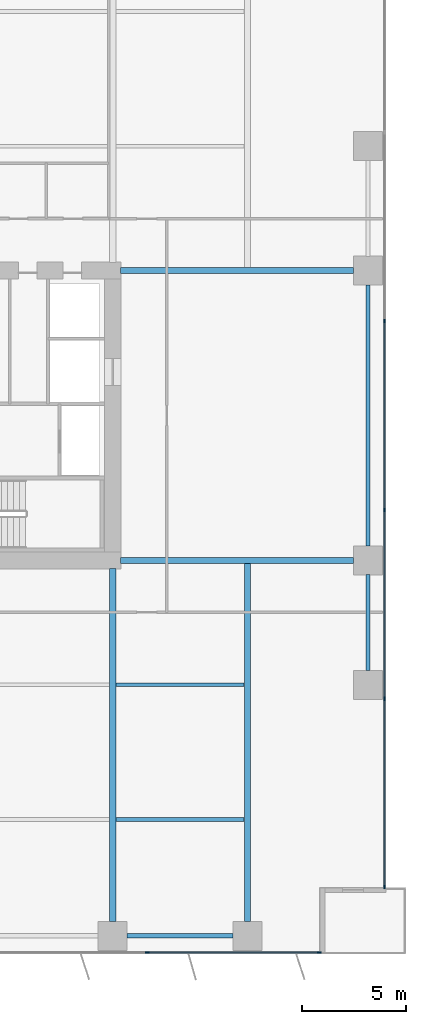
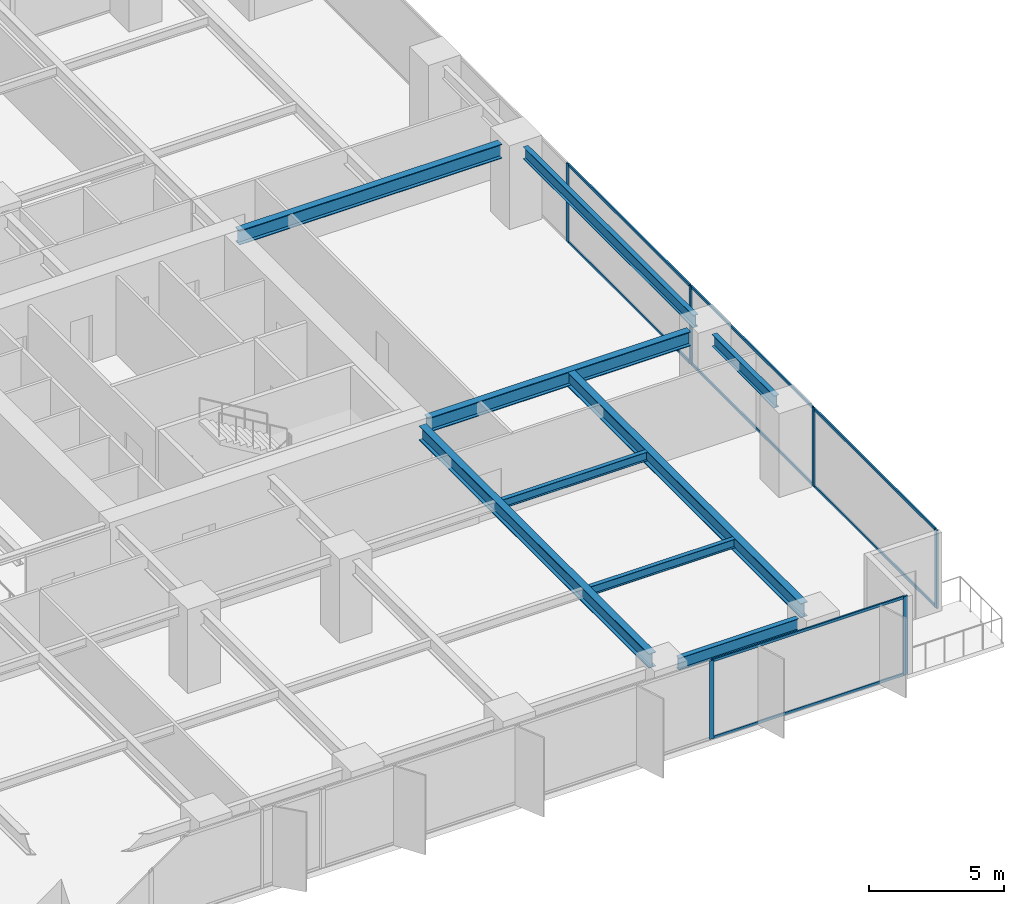
# One storey, part 10 of 20: 14 members, 9 beams, 2 elements without a shape of their own.
"""IFC4 building model written with IfcOpenShell, lengths in metres."""

import ifcopenshell
import ifcopenshell.guid

model = None  # the IFC model being written
_history = None  # IfcOwnerHistory: only IFC2X3 demands one
_inside = {}  # id of a spatial element -> (the spatial element, [elements in it])
_under = {}  # id of a project, library or spatial element -> (it, [spatial elements below it])
_declared = {}  # id of a project -> (the project, [libraries it declares])
_typed = {}  # id of a type object -> (the type object, [elements of that type])
_made_of = {}  # id of a material, layer set ... -> (it, [elements and type objects made of it])


def new_model(schema):
    """Start an empty IFC model of exactly this schema.

    Asked for "IFC4X3", IfcOpenShell would pick the latest addendum, in which some entities
    have other attributes; the version numbers below select the first issue.
    IFC2X3 requires an IfcOwnerHistory on every rooted entity: one is made here for all.
    """
    global model, _history
    if schema == "IFC4X3":
        model = ifcopenshell.file(schema_version=(4, 3, 0, 0))
    else:
        model = ifcopenshell.file(schema=schema)
    _inside.clear()
    _under.clear()
    _declared.clear()
    _typed.clear()
    _made_of.clear()
    _history = None
    if model.schema == "IFC2X3":
        org = make("IfcOrganization", Name="unknown")
        user = make(
            "IfcPersonAndOrganization",
            ThePerson=make("IfcPerson", FamilyName="unknown"),
            TheOrganization=org,
        )
        app = make(
            "IfcApplication",
            ApplicationDeveloper=org,
            Version="unknown",
            ApplicationFullName="unknown",
            ApplicationIdentifier="unknown",
        )
        _history = make(
            "IfcOwnerHistory",
            OwningUser=user,
            OwningApplication=app,
            ChangeAction="ADDED",
            CreationDate=0,
        )
    return model


def make(cls, **values):
    """One entity of the class cls with the attributes given. An attribute that is None is left unset."""
    return model.create_entity(
        cls, **{name: value for name, value in values.items() if value is not None}
    )


def rooted(cls, **values):
    """An entity with a GlobalId (a new one), such as an element, a storey or a relation."""
    return make(cls, GlobalId=ifcopenshell.guid.new(), OwnerHistory=_history, **values)


def si_unit(unit_type, name, prefix=None):
    """IfcSIUnit, for example si_unit("LENGTHUNIT", "METRE", prefix="MILLI")."""
    return make("IfcSIUnit", UnitType=unit_type, Prefix=prefix, Name=name)


def assignment(units):
    """IfcUnitAssignment: the units of a project."""
    return None if units is None else make("IfcUnitAssignment", Units=units)


def point(xyz):
    """IfcCartesianPoint."""
    return None if xyz is None else make("IfcCartesianPoint", Coordinates=xyz)


def direction(xyz):
    """IfcDirection."""
    return None if xyz is None else make("IfcDirection", DirectionRatios=xyz)


def frame(location, z_axis=None, x_axis=None):
    """IfcAxis2Placement3D, a coordinate frame: its origin and axes. An axis left out is left unset."""
    return make(
        "IfcAxis2Placement3D",
        Location=point(location),
        Axis=direction(z_axis),
        RefDirection=direction(x_axis),
    )


def frame_2d(location, x_axis=None):
    """IfcAxis2Placement2D, a coordinate frame in the plane: its origin and x axis."""
    return make(
        "IfcAxis2Placement2D", Location=point(location), RefDirection=direction(x_axis)
    )


def origin():
    """The frame at (0, 0, 0) with its axes left unset."""
    return frame((0.0, 0.0, 0.0))


def origin_2d():
    """The frame at (0, 0) in the plane with its x axis left unset."""
    return frame_2d((0.0, 0.0))


def place(relative_to, where):
    """IfcLocalPlacement: puts the frame where relative to a parent placement (None: the world)."""
    return make(
        "IfcLocalPlacement", PlacementRelTo=relative_to, RelativePlacement=where
    )


def context(
    kind, dimensions, precision=None, world=None, true_north=None, identifier=None
):
    """IfcGeometricRepresentationContext, for example the 3D "Model" context."""
    return make(
        "IfcGeometricRepresentationContext",
        ContextIdentifier=identifier,
        ContextType=kind,
        CoordinateSpaceDimension=dimensions,
        Precision=precision,
        WorldCoordinateSystem=world,
        TrueNorth=true_north,
    )


def subcontext(parent, identifier, kind, view, scale=None):
    """IfcGeometricRepresentationSubContext, for example "Body" below "Model"."""
    return make(
        "IfcGeometricRepresentationSubContext",
        ContextIdentifier=identifier,
        ContextType=kind,
        ParentContext=parent,
        TargetScale=scale,
        TargetView=view,
    )


def project(units=None, contexts=None):
    """IfcProject with its units and contexts."""
    return rooted(
        "IfcProject",
        Name="project",
        RepresentationContexts=contexts,
        UnitsInContext=assignment(units),
    )


def spatial(cls, under=None, at=None, **own):
    """A site, building, storey or space (cls), placed at a placement, below another one or the project."""
    s = rooted(cls, ObjectPlacement=at, **own)
    if under is not None:
        _under.setdefault(under.id(), (under, []))[1].append(s)
    return s


def profile(cls, at=None, kind="AREA", **sizes):
    """A parametric profile (cls). Its sizes go by their IFC names, for example OverallWidth=200.0."""
    return make(cls, ProfileType=kind, Position=at, **sizes)


def rectangle(**sizes):
    """IfcRectangleProfileDef."""
    return profile("IfcRectangleProfileDef", **sizes)


def i_section(**sizes):
    """IfcIShapeProfileDef."""
    return profile("IfcIShapeProfileDef", **sizes)


def extrude(swept, where, along, depth):
    """IfcExtrudedAreaSolid: the profile swept, set in the frame where, extruded along a direction by depth."""
    return make(
        "IfcExtrudedAreaSolid",
        SweptArea=swept,
        Position=where,
        ExtrudedDirection=direction(along),
        Depth=depth,
    )


def shape(context_of_items, identifier, shape_type, items):
    """IfcShapeRepresentation: the items that make up one representation, for example the "Body"."""
    return make(
        "IfcShapeRepresentation",
        ContextOfItems=context_of_items,
        RepresentationIdentifier=identifier,
        RepresentationType=shape_type,
        Items=items,
    )


def material(Name=None, Category=None):
    """IfcMaterial."""
    return make("IfcMaterial", Name=Name, Category=Category)


def layer(
    of_material, thickness, ventilated=None, Name=None, Category=None, Priority=None
):
    """IfcMaterialLayer: one layer of a wall or slab, of a material (None: an air gap)."""
    return make(
        "IfcMaterialLayer",
        Material=of_material,
        LayerThickness=thickness,
        IsVentilated=ventilated,
        Name=Name,
        Category=Category,
        Priority=Priority,
    )


def layer_set(layers, Name=None):
    """IfcMaterialLayerSet."""
    return make("IfcMaterialLayerSet", MaterialLayers=layers, LayerSetName=Name)


def material_profile(
    of_material, cross_section, Name=None, Category=None, Priority=None
):
    """IfcMaterialProfile: a cross section and its material."""
    return make(
        "IfcMaterialProfile",
        Name=Name,
        Material=of_material,
        Profile=cross_section,
        Priority=Priority,
        Category=Category,
    )


def profile_set(profiles, Name=None, composite=None):
    """IfcMaterialProfileSet."""
    return make(
        "IfcMaterialProfileSet",
        Name=Name,
        MaterialProfiles=profiles,
        CompositeProfile=composite,
    )


def made_of(thing, what):
    """Note that an element or type object is made of a material, layer set ...; save() writes the relation."""
    if what is not None:
        _made_of.setdefault(what.id(), (what, []))[1].append(thing)
    return thing


def type_object(cls, material=None, **own):
    """A type object (cls), such as IfcWallType, which elements share."""
    return made_of(rooted(cls, **own), material)


def element(
    cls,
    number,
    at=None,
    inside=None,
    cuts=None,
    type_object=None,
    material=None,
    context=None,
    identifier="Body",
    shape_type=None,
    held_by="IfcProductDefinitionShape",
    body=None,
    shapes=None,
    **own,
):
    """One element of the class cls, such as IfcWall. Its Tag is "e" and its number.

    at: its placement. inside: the storey or other place that contains it. cuts: it is an
    opening in that element (IfcRelVoidsElement). A single representation is given by context,
    identifier, shape_type and body (its items); several are given by shapes. held_by: the class
    of the entity that holds the representations. save() writes the other relations.
    """
    e = rooted(cls, Tag="e%d" % number, ObjectPlacement=at, **own)
    if body is not None:
        shapes = [shape(context, identifier, shape_type, body)]
    if shapes is not None:
        e.Representation = make(held_by, Representations=shapes)
    if inside is not None:
        _inside.setdefault(inside.id(), (inside, []))[1].append(e)
    if cuts is not None:
        rooted(
            "IfcRelVoidsElement", RelatingBuildingElement=cuts, RelatedOpeningElement=e
        )
    if type_object is not None:
        _typed.setdefault(type_object.id(), (type_object, []))[1].append(e)
    return made_of(e, material)


def aggregate(whole, parts):
    """IfcRelAggregates: a whole, such as a stair, and the parts it consists of."""
    return rooted("IfcRelAggregates", RelatingObject=whole, RelatedObjects=parts)


def save(model, path):
    """Write the relations noted so far, then the file.

    IfcRelAggregates (storeys below a building ...), IfcRelContainedInSpatialStructure (elements
    in a storey), IfcRelDefinesByType, IfcRelAssociatesMaterial and IfcRelDeclares: one each for
    every whole, place, type object, material and project.
    """
    for whole, parts in _under.values():
        aggregate(whole, parts)
    for where, things in _inside.values():
        rooted(
            "IfcRelContainedInSpatialStructure",
            RelatedElements=things,
            RelatingStructure=where,
        )
    for kind, things in _typed.values():
        rooted("IfcRelDefinesByType", RelatedObjects=things, RelatingType=kind)
    for what, things in _made_of.values():
        rooted("IfcRelAssociatesMaterial", RelatedObjects=things, RelatingMaterial=what)
    for by, libraries in _declared.values():
        rooted("IfcRelDeclares", RelatingContext=by, RelatedDefinitions=libraries)
    model.write(path)


model = new_model("IFC4")

# Units and contexts
model_context = context("Model", 3, precision=1e-05, world=origin(), true_north=direction((0.0, 1.0)))
body_context = subcontext(model_context, "Body", "Model", "MODEL_VIEW")
ifc_project = project(units=[si_unit("LENGTHUNIT", "METRE"), si_unit("AREAUNIT", "SQUARE_METRE"), si_unit("VOLUMEUNIT", "CUBIC_METRE"), si_unit("PLANEANGLEUNIT", "RADIAN"), si_unit("MASSUNIT", "GRAM", prefix="KILO")], contexts=[model_context])

# Site, building, storey
site_placement = place(None, origin())
site = spatial("IfcSite", under=ifc_project, at=site_placement, CompositionType="ELEMENT")
building_placement = place(site_placement, origin())
building = spatial("IfcBuilding", under=site, at=building_placement, Name="Putna Gate Headquarters", CompositionType="ELEMENT")
storey_placement = place(building_placement, frame((0.0, 0.0, 54.39990234375)))
storey = spatial("IfcBuildingStorey", under=building, at=storey_placement, Name="L12", CompositionType="ELEMENT", Elevation=54.39990234375)

# Beams
ifc_material_1 = material(Name="Steel S355J2", Category="steel")
ifc_material_profile_1 = material_profile(ifc_material_1, i_section(OverallWidth=0.300048828125, OverallDepth=0.64990234375, WebThickness=0.01611328125, FlangeThickness=0.031005859375, at=origin_2d()), Name="Steel S355J2")
ifc_profile_set_1 = profile_set([ifc_material_profile_1], Name="Steel S355J2")
beam_type_1 = type_object("IfcBeamType", Name="BM-GIRD-Z1-HEB650", PredefinedType="USERDEFINED", material=ifc_profile_set_1)
for number, where, z_axis, x_axis, name in (
    (1, (65.385009765625, 19.0, 3.22509765625), (1.0, 0.0, 0.0), (0.0, 1.0, 0.0), "L12 East Wing Girder Y19"),
    (2, (65.385009765625, 33.0, 3.22509765625), (1.0, 0.0, 0.0), (0.0, 1.0, 0.0), "L12 East Wing Girder Y33"),
):
    element("IfcBeam", number, at=place(storey_placement, frame(where, z_axis=z_axis, x_axis=x_axis)), inside=storey, type_object=beam_type_1, Name=name, ObjectType="GIRDER", PredefinedType="USERDEFINED", context=body_context, shape_type="SweptSolid", body=[
        extrude(i_section(OverallWidth=0.300048828125, OverallDepth=0.64990234375, WebThickness=0.01611328125, FlangeThickness=0.031005859375, at=origin_2d()), origin(), (0.0, 0.0, 1.0), 11.2470703125),
    ])
beam_1_placement = place(storey_placement, frame((65.0, 1.568115234375, 3.22509765625), z_axis=(0.0, 1.0, 0.0), x_axis=(-1.0, 0.0, 0.0)))
element("IfcBeam", 3, at=beam_1_placement, inside=storey, type_object=beam_type_1, Name="L12 South Primary Girder X65", ObjectType="GIRDER", PredefinedType="USERDEFINED", context=body_context, shape_type="SweptSolid", body=[
    extrude(i_section(OverallWidth=0.300048828125, OverallDepth=0.64990234375, WebThickness=0.01611328125, FlangeThickness=0.031005859375, at=origin_2d()), origin(), (0.0, 0.0, 1.0), 17.046875),
])
beam_2_placement = place(storey_placement, frame((71.5, 1.568115234375, 3.22509765625), z_axis=(0.0, 1.0, 0.0), x_axis=(-1.0, 0.0, 0.0)))
element("IfcBeam", 4, at=beam_2_placement, inside=storey, type_object=beam_type_1, Name="L12 South Primary Girder X71", ObjectType="GIRDER", PredefinedType="USERDEFINED", context=body_context, shape_type="SweptSolid", body=[
    extrude(i_section(OverallWidth=0.300048828125, OverallDepth=0.64990234375, WebThickness=0.01611328125, FlangeThickness=0.031005859375, at=origin_2d()), origin(), (0.0, 0.0, 1.0), 17.419921875),
])
ifc_material_profile_2 = material_profile(ifc_material_1, i_section(OverallWidth=0.179931640625, OverallDepth=0.39990234375, WebThickness=0.008544921875, FlangeThickness=0.013427734375, at=origin_2d()), Name="Steel S355J2")
ifc_profile_set_2 = profile_set([ifc_material_profile_2], Name="Steel S355J2")
beam_type_2 = type_object("IfcBeamType", Name="BM-SEC-Z1-IPE400", PredefinedType="BEAM", material=ifc_profile_set_2)
for number, where, z_axis, x_axis, name in (
    (5, (65.154052734375, 6.5, 3.35009765625), (1.0, 0.0, 0.0), (0.0, 1.0, 0.0), "L12 South Secondary Beam 10"),
    (6, (65.154052734375, 13.0, 3.35009765625), (1.0, 0.0, 0.0), (0.0, 1.0, 0.0), "L12 South Secondary Beam 10"),
):
    element("IfcBeam", number, at=place(storey_placement, frame(where, z_axis=z_axis, x_axis=x_axis)), inside=storey, type_object=beam_type_2, Name=name, PredefinedType="BEAM", context=body_context, shape_type="SweptSolid", body=[
        extrude(i_section(OverallWidth=0.179931640625, OverallDepth=0.39990234375, WebThickness=0.008544921875, FlangeThickness=0.013427734375, at=origin_2d()), origin(), (0.0, 0.0, 1.0), 6.19189453125),
    ])
ifc_material_profile_3 = material_profile(ifc_material_1, i_section(OverallWidth=0.2099609375, OverallDepth=0.550048828125, WebThickness=0.010986328125, FlangeThickness=0.01708984375, at=origin_2d()), Name="Steel S355J2")
ifc_profile_set_3 = profile_set([ifc_material_profile_3], Name="Steel S355J2")
beam_type_3 = type_object("IfcBeamType", Name="BM-SPAN-Z1-IPE550", PredefinedType="SPANDREL", material=ifc_profile_set_3)
beam_3_placement = place(storey_placement, frame((65.68798828125, 0.8798828125, 3.275146484375), z_axis=(1.0, 0.0, 0.0), x_axis=(0.0, 1.0, 0.0)))
element("IfcBeam", 7, at=beam_3_placement, inside=storey, type_object=beam_type_3, Name="L12 S Perimeter Spandrel 10", PredefinedType="SPANDREL", context=body_context, shape_type="SweptSolid", body=[
    extrude(i_section(OverallWidth=0.2099609375, OverallDepth=0.550048828125, WebThickness=0.010986328125, FlangeThickness=0.01708984375, at=origin_2d()), origin(), (0.0, 0.0, 1.0), 5.1240234375),
])
beam_4_placement = place(storey_placement, frame((77.320068359375, 13.68798828125, 3.275146484375), z_axis=(0.0, 1.0, 0.0), x_axis=(-1.0, 0.0, 0.0)))
element("IfcBeam", 8, at=beam_4_placement, inside=storey, type_object=beam_type_3, Name="L12 E End Spandrel 1", PredefinedType="SPANDREL", context=body_context, shape_type="SweptSolid", body=[
    extrude(i_section(OverallWidth=0.2099609375, OverallDepth=0.550048828125, WebThickness=0.010986328125, FlangeThickness=0.01708984375, at=origin_2d()), origin(), (0.0, 0.0, 1.0), 4.6240234375),
])
beam_5_placement = place(storey_placement, frame((77.320068359375, 19.68798828125, 3.275146484375), z_axis=(0.0, 1.0, 0.0), x_axis=(-1.0, 0.0, 0.0)))
element("IfcBeam", 9, at=beam_5_placement, inside=storey, type_object=beam_type_3, Name="L12 E End Spandrel 2", PredefinedType="SPANDREL", context=body_context, shape_type="SweptSolid", body=[
    extrude(i_section(OverallWidth=0.2099609375, OverallDepth=0.550048828125, WebThickness=0.010986328125, FlangeThickness=0.01708984375, at=origin_2d()), origin(), (0.0, 0.0, 1.0), 12.6240234375),
])

# Curtain wall, members
ifc_material_2 = material(Name="Anodised bronze aluminium curtain wall", Category="aluminium")
ifc_layer = layer(ifc_material_2, 0.179931640625)
ifc_layer_set = layer_set([ifc_layer], Name="Anodised bronze aluminium curtain wall")
curtain_wall_type = type_object("IfcCurtainWallType", Name="CW-SYS-Z1", PredefinedType="USERDEFINED", material=ifc_layer_set)
curtain_wall_1_placement = place(storey_placement, origin())
curtain_wall_1 = element("IfcCurtainWall", 10, at=curtain_wall_1_placement, inside=storey, type_object=curtain_wall_type, Name="L12 South East Curtain Wall", ObjectType="STICK CURTAIN WALL", PredefinedType="USERDEFINED")
ifc_material_3 = material(Name="Anodised bronze aluminium EN AW-6060", Category="aluminium")
ifc_material_profile_4 = material_profile(ifc_material_3, rectangle(XDim=0.070068359375, YDim=0.179931640625, at=origin_2d()), Name="Anodised bronze aluminium EN AW-6060")
ifc_profile_set_4 = profile_set([ifc_material_profile_4], Name="Anodised bronze aluminium EN AW-6060")
member_type_1 = type_object("IfcMemberType", Name="MULL-CWM-1", PredefinedType="MULLION", material=ifc_profile_set_4)
member_1_placement = place(storey_placement, frame((66.666748046875, 0.080078125, 0.0), z_axis=(0.0, 0.0, 1.0), x_axis=(0.0, 1.0, 0.0)))
member_1 = element("IfcMember", 11, at=member_1_placement, type_object=member_type_1, Name="CWS-1 mullion 3", PredefinedType="MULLION", context=body_context, shape_type="SweptSolid", body=[
    extrude(rectangle(XDim=0.070068359375, YDim=0.179931640625, at=origin_2d()), origin(), (0.0, 0.0, 1.0), 3.550048828125),
])
member_2_placement = place(storey_placement, frame((74.965087890625, 0.080078125, 0.0), z_axis=(0.0, 0.0, 1.0), x_axis=(0.0, 1.0, 0.0)))
member_2 = element("IfcMember", 12, at=member_2_placement, type_object=member_type_1, Name="CWS-1 mullion 4", PredefinedType="MULLION", context=body_context, shape_type="SweptSolid", body=[
    extrude(rectangle(XDim=0.070068359375, YDim=0.179931640625, at=origin_2d()), origin(), (0.0, 0.0, 1.0), 3.550048828125),
])

curtain_wall_2_placement = place(storey_placement, origin())
curtain_wall_2 = element("IfcCurtainWall", 13, at=curtain_wall_2_placement, inside=storey, type_object=curtain_wall_type, Name="L12 East Curtain Wall", ObjectType="STICK CURTAIN WALL", PredefinedType="USERDEFINED")
member_3_placement = place(storey_placement, frame((78.1201171875, 3.235107421875, 0.0), z_axis=(0.0, 0.0, 1.0), x_axis=(-1.0, 0.0, 0.0)))
member_3 = element("IfcMember", 14, at=member_3_placement, type_object=member_type_1, Name="CWS-1 mullion 1", PredefinedType="MULLION", context=body_context, shape_type="SweptSolid", body=[
    extrude(rectangle(XDim=0.070068359375, YDim=0.179931640625, at=origin_2d()), origin(), (0.0, 0.0, 1.0), 3.550048828125),
])
member_4_placement = place(storey_placement, frame((78.1201171875, 12.320068359375, 0.0), z_axis=(0.0, 0.0, 1.0), x_axis=(-1.0, 0.0, 0.0)))
member_4 = element("IfcMember", 15, at=member_4_placement, type_object=member_type_1, Name="CWS-1 mullion 2", PredefinedType="MULLION", context=body_context, shape_type="SweptSolid", body=[
    extrude(rectangle(XDim=0.070068359375, YDim=0.179931640625, at=origin_2d()), origin(), (0.0, 0.0, 1.0), 3.550048828125),
])
member_5_placement = place(storey_placement, frame((78.1201171875, 21.43994140625, 0.0), z_axis=(0.0, 0.0, 1.0), x_axis=(-1.0, 0.0, 0.0)))
member_5 = element("IfcMember", 16, at=member_5_placement, type_object=member_type_1, Name="CWS-1 mullion 3", PredefinedType="MULLION", context=body_context, shape_type="SweptSolid", body=[
    extrude(rectangle(XDim=0.070068359375, YDim=0.179931640625, at=origin_2d()), origin(), (0.0, 0.0, 1.0), 3.550048828125),
])
member_6_placement = place(storey_placement, frame((78.1201171875, 30.56005859375, 0.0), z_axis=(0.0, 0.0, 1.0), x_axis=(-1.0, 0.0, 0.0)))
member_6 = element("IfcMember", 17, at=member_6_placement, type_object=member_type_1, Name="CWS-1 mullion 4", PredefinedType="MULLION", context=body_context, shape_type="SweptSolid", body=[
    extrude(rectangle(XDim=0.070068359375, YDim=0.179931640625, at=origin_2d()), origin(), (0.0, 0.0, 1.0), 3.550048828125),
])

# Member
ifc_material_profile_5 = material_profile(ifc_material_3, rectangle(XDim=0.06494140625, YDim=0.1201171875, at=origin_2d()), Name="Anodised bronze aluminium EN AW-6060")
ifc_profile_set_5 = profile_set([ifc_material_profile_5], Name="Anodised bronze aluminium EN AW-6060")
member_type_2 = type_object("IfcMemberType", Name="TRAN-CWT-1", PredefinedType="USERDEFINED", material=ifc_profile_set_5)
member_7_placement = place(storey_placement, frame((66.70166015625, 0.080078125, 0.03271484375), z_axis=(1.0, 0.0, 0.0), x_axis=(0.0, 1.0, 0.0)))
member_7 = element("IfcMember", 18, at=member_7_placement, type_object=member_type_2, Name="CWS-1 transom 3.1", ObjectType="TRANSOM", PredefinedType="USERDEFINED", context=body_context, shape_type="SweptSolid", body=[
    extrude(rectangle(XDim=0.06494140625, YDim=0.1201171875, at=origin_2d()), origin(), (0.0, 0.0, 1.0), 8.228271484375),
])

member_8_placement = place(storey_placement, frame((66.70166015625, 0.080078125, 3.517578125), z_axis=(1.0, 0.0, 0.0), x_axis=(0.0, 1.0, 0.0)))
member_8 = element("IfcMember", 19, at=member_8_placement, type_object=member_type_2, Name="CWS-1 transom 3.2", ObjectType="TRANSOM", PredefinedType="USERDEFINED", context=body_context, shape_type="SweptSolid", body=[
    extrude(rectangle(XDim=0.06494140625, YDim=0.1201171875, at=origin_2d()), origin(), (0.0, 0.0, 1.0), 8.228271484375),
])

aggregate(curtain_wall_1, [member_1, member_2, member_7, member_8])

member_9_placement = place(storey_placement, frame((78.1201171875, 3.27001953125, 0.03271484375), z_axis=(0.0, 1.0, 0.0), x_axis=(-1.0, 0.0, 0.0)))
member_9 = element("IfcMember", 20, at=member_9_placement, type_object=member_type_2, Name="CWS-1 transom 1.1", ObjectType="TRANSOM", PredefinedType="USERDEFINED", context=body_context, shape_type="SweptSolid", body=[
    extrude(rectangle(XDim=0.06494140625, YDim=0.1201171875, at=origin_2d()), origin(), (0.0, 0.0, 1.0), 9.014892578125),
])

member_10_placement = place(storey_placement, frame((78.1201171875, 3.27001953125, 3.517578125), z_axis=(0.0, 1.0, 0.0), x_axis=(-1.0, 0.0, 0.0)))
member_10 = element("IfcMember", 21, at=member_10_placement, type_object=member_type_2, Name="CWS-1 transom 1.2", ObjectType="TRANSOM", PredefinedType="USERDEFINED", context=body_context, shape_type="SweptSolid", body=[
    extrude(rectangle(XDim=0.06494140625, YDim=0.1201171875, at=origin_2d()), origin(), (0.0, 0.0, 1.0), 9.014892578125),
])

member_11_placement = place(storey_placement, frame((78.1201171875, 12.35498046875, 0.03271484375), z_axis=(0.0, 1.0, 0.0), x_axis=(-1.0, 0.0, 0.0)))
member_11 = element("IfcMember", 22, at=member_11_placement, type_object=member_type_2, Name="CWS-1 transom 2.1", ObjectType="TRANSOM", PredefinedType="USERDEFINED", context=body_context, shape_type="SweptSolid", body=[
    extrude(rectangle(XDim=0.06494140625, YDim=0.1201171875, at=origin_2d()), origin(), (0.0, 0.0, 1.0), 9.050048828125),
])

member_12_placement = place(storey_placement, frame((78.1201171875, 12.35498046875, 3.517578125), z_axis=(0.0, 1.0, 0.0), x_axis=(-1.0, 0.0, 0.0)))
member_12 = element("IfcMember", 23, at=member_12_placement, type_object=member_type_2, Name="CWS-1 transom 2.2", ObjectType="TRANSOM", PredefinedType="USERDEFINED", context=body_context, shape_type="SweptSolid", body=[
    extrude(rectangle(XDim=0.06494140625, YDim=0.1201171875, at=origin_2d()), origin(), (0.0, 0.0, 1.0), 9.050048828125),
])

member_13_placement = place(storey_placement, frame((78.1201171875, 21.47509765625, 0.03271484375), z_axis=(0.0, 1.0, 0.0), x_axis=(-1.0, 0.0, 0.0)))
member_13 = element("IfcMember", 24, at=member_13_placement, type_object=member_type_2, Name="CWS-1 transom 3.1", ObjectType="TRANSOM", PredefinedType="USERDEFINED", context=body_context, shape_type="SweptSolid", body=[
    extrude(rectangle(XDim=0.06494140625, YDim=0.1201171875, at=origin_2d()), origin(), (0.0, 0.0, 1.0), 9.0498046875),
])

member_14_placement = place(storey_placement, frame((78.1201171875, 21.47509765625, 3.517578125), z_axis=(0.0, 1.0, 0.0), x_axis=(-1.0, 0.0, 0.0)))
member_14 = element("IfcMember", 25, at=member_14_placement, type_object=member_type_2, Name="CWS-1 transom 3.2", ObjectType="TRANSOM", PredefinedType="USERDEFINED", context=body_context, shape_type="SweptSolid", body=[
    extrude(rectangle(XDim=0.06494140625, YDim=0.1201171875, at=origin_2d()), origin(), (0.0, 0.0, 1.0), 9.0498046875),
])

aggregate(curtain_wall_2, [member_3, member_4, member_5, member_6, member_9, member_10, member_11, member_12, member_13, member_14])

save(model, "model.ifc")
